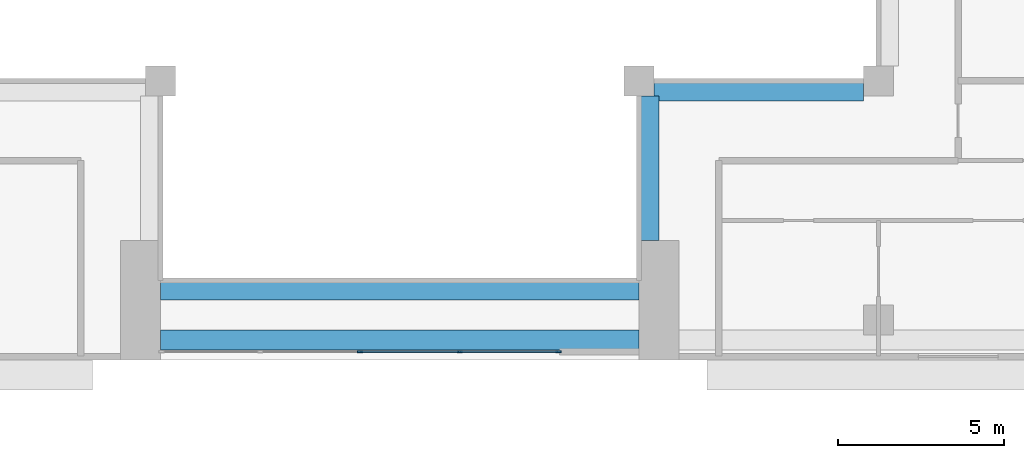
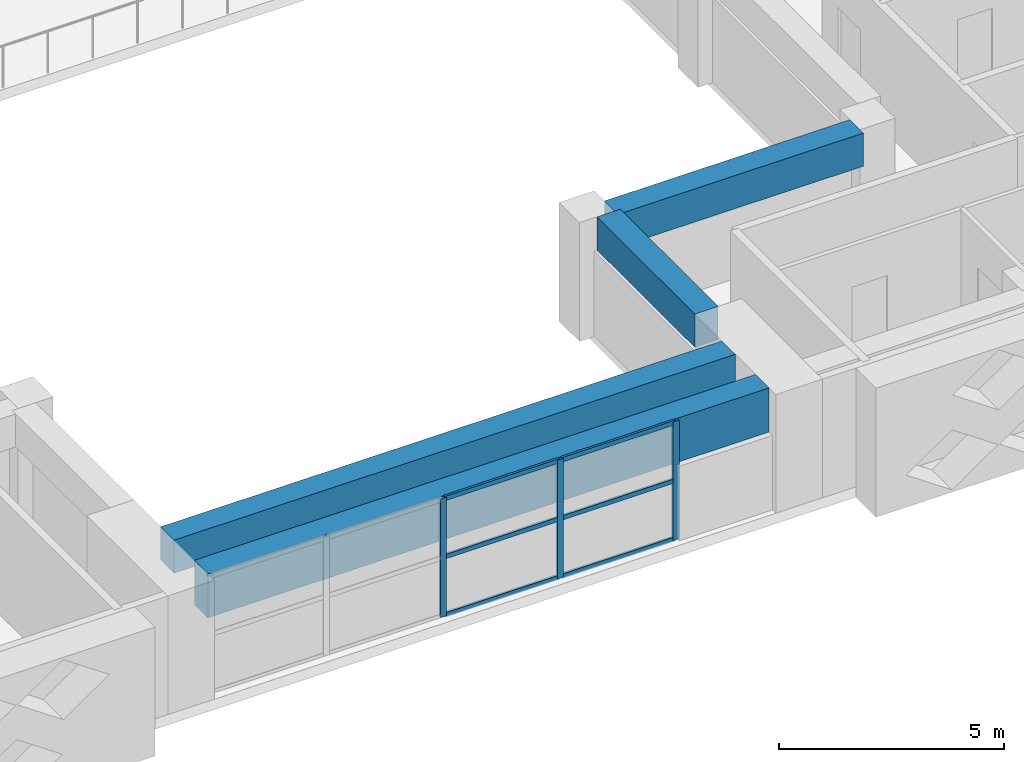
# One storey, part 4 of 19: 9 members, 4 beams, 1 element without a shape of its own.
"""IFC4 building model written with IfcOpenShell, lengths in metres."""

from ifc_helpers import new_model, si_unit, direction, frame, origin, origin_2d, place, context, subcontext, project, spatial, rectangle, extrude, source, transform, mapped, material, layer, layer_set, material_profile, profile_set, type_object, element, aggregate, save


model = new_model("IFC4")

# Units and contexts
model_context = context("Model", 3, precision=1e-05, world=origin(), true_north=direction((0.0, 1.0)))
body_context = subcontext(model_context, "Body", "Model", "MODEL_VIEW")
ifc_project = project(units=[si_unit("LENGTHUNIT", "METRE"), si_unit("AREAUNIT", "SQUARE_METRE"), si_unit("VOLUMEUNIT", "CUBIC_METRE"), si_unit("PLANEANGLEUNIT", "RADIAN"), si_unit("MASSUNIT", "GRAM", prefix="KILO")], contexts=[model_context])

# Site, building, storey
site_placement = place(None, origin())
site = spatial("IfcSite", under=ifc_project, at=site_placement, CompositionType="ELEMENT")
building_placement = place(site_placement, origin())
building = spatial("IfcBuilding", under=site, at=building_placement, Name="Saffron Iwan Residences", CompositionType="ELEMENT")
storey_placement = place(building_placement, frame((0.0, 0.0, 218.5)))
storey = spatial("IfcBuildingStorey", under=building, at=storey_placement, Name="L58", CompositionType="ELEMENT", Elevation=218.5)

# Beams
ifc_material_1 = material(Name="Concrete C40/50", Category="concrete")
ifc_material_profile_1 = material_profile(ifc_material_1, rectangle(XDim=0.60009765625, YDim=1.199951171875, at=origin_2d()), Name="RC 600x1200")
ifc_profile_set_1 = profile_set([ifc_material_profile_1], Name="Concrete C40/50")
beam_type_1 = type_object("IfcBeamType", Name="LINTEL BEAM RC 600x1200 C40/50 TOP 3220", PredefinedType="LINTEL", material=ifc_profile_set_1)
shared_shape_1 = source(origin(), body_context, "Body", "SweptSolid", [
    extrude(rectangle(XDim=0.60009765625, YDim=1.199951171875, at=origin_2d()), origin(), (0.0, 0.0, 1.0), 14.400146484375),
])
beam_1_placement = place(storey_placement, frame((57.60009765625, 40.199951171875, 2.6201171875), z_axis=(-1.0, 0.0, 0.0), x_axis=(0.0, -1.0, 0.0)))
element("IfcBeam", 1, at=beam_1_placement, inside=storey, type_object=beam_type_1, Name="Lintel beam over the iwan", PredefinedType="LINTEL", context=body_context, shape_type="MappedRepresentation", body=[
    mapped(shared_shape_1, transform((0.0, 0.0, 0.0))),
])
ifc_material_profile_2 = material_profile(ifc_material_1, rectangle(XDim=0.60009765625, YDim=0.89990234375, at=origin_2d()), Name="RC 600x900")
ifc_profile_set_2 = profile_set([ifc_material_profile_2], Name="Concrete C40/50")
beam_type_2 = type_object("IfcBeamType", Name="BEAM RC 600x900 C40/50 TOP 3220", PredefinedType="BEAM", material=ifc_profile_set_2)
shared_shape_2 = source(origin(), body_context, "Body", "SweptSolid", [
    extrude(rectangle(XDim=0.60009765625, YDim=0.89990234375, at=origin_2d()), origin(), (0.0, 0.0, 1.0), 14.400146484375),
])
beam_2_placement = place(storey_placement, frame((57.60009765625, 41.699951171875, 2.77001953125), z_axis=(-1.0, 0.0, 0.0), x_axis=(0.0, -1.0, 0.0)))
element("IfcBeam", 2, at=beam_2_placement, inside=storey, type_object=beam_type_2, Name="Atrium edge beam", PredefinedType="BEAM", context=body_context, shape_type="MappedRepresentation", body=[
    mapped(shared_shape_2, transform((0.0, 0.0, 0.0))),
])
shared_shape_3 = source(origin(), body_context, "Body", "SweptSolid", [
    extrude(rectangle(XDim=0.60009765625, YDim=0.89990234375, at=origin_2d()), origin(), (0.0, 0.0, 1.0), 4.35009765625),
])
beam_3_placement = place(storey_placement, frame((57.89990234375, 47.550048828125, 2.77001953125), z_axis=(0.0, -1.0, 0.0), x_axis=(1.0, 0.0, 0.0)))
element("IfcBeam", 3, at=beam_3_placement, inside=storey, type_object=beam_type_2, Name="Atrium edge beam", PredefinedType="BEAM", context=body_context, shape_type="MappedRepresentation", body=[
    mapped(shared_shape_3, transform((0.0, 0.0, 0.0))),
])
shared_shape_4 = source(origin(), body_context, "Body", "SweptSolid", [
    extrude(rectangle(XDim=0.60009765625, YDim=0.89990234375, at=origin_2d()), origin(), (0.0, 0.0, 1.0), 6.300048828125),
])
beam_4_placement = place(storey_placement, frame((64.35009765625, 47.699951171875, 2.77001953125), z_axis=(-1.0, 0.0, 0.0), x_axis=(0.0, -1.0, 0.0)))
element("IfcBeam", 4, at=beam_4_placement, inside=storey, type_object=beam_type_2, Name="Atrium edge beam", PredefinedType="BEAM", context=body_context, shape_type="MappedRepresentation", body=[
    mapped(shared_shape_4, transform((0.0, 0.0, 0.0))),
])

# Curtain wall, members
ifc_material_2 = material(Name="Clear glass, laminated double glazed", Category="glass")
ifc_layer = layer(ifc_material_2, 0.199951171875)
ifc_layer_set = layer_set([ifc_layer], Name="Clear glass, laminated double glazed")
curtain_wall_type = type_object("IfcCurtainWallType", Name="CW-B IWAN PORTAL", PredefinedType="NOTDEFINED", material=ifc_layer_set)
curtain_wall_placement = place(storey_placement, origin())
curtain_wall = element("IfcCurtainWall", 5, at=curtain_wall_placement, inside=storey, type_object=curtain_wall_type, Name="Iwan portal glazing L58.1", PredefinedType="NOTDEFINED")
ifc_material_3 = material(Name="Aluminium 6063-T6", Category="aluminium")
ifc_material_profile_3 = material_profile(ifc_material_3, rectangle(XDim=0.06005859375, YDim=0.1201171875, at=origin_2d()), Name="CW-B TRANSOM 60 x 120")
ifc_profile_set_3 = profile_set([ifc_material_profile_3], Name="Aluminium 6063-T6")
member_type_1 = type_object("IfcMemberType", Name="CW-B TRANSOM 60 x 120", PredefinedType="USERDEFINED", material=ifc_profile_set_3)
shared_shape_5 = source(origin(), body_context, "Body", "SweptSolid", [
    extrude(rectangle(XDim=0.06005859375, YDim=0.1201171875, at=origin_2d()), origin(), (0.0, 0.0, 1.0), 2.909912109375),
])
member_1_placement = place(storey_placement, frame((52.22998046875, 39.85009765625, 0.030029296875), z_axis=(1.0, 0.0, 0.0), x_axis=(0.0, 1.0, 0.0)))
member_1 = element("IfcMember", 6, at=member_1_placement, type_object=member_type_1, Name="CW-B transom 4.1", ObjectType="TRANSOM", PredefinedType="USERDEFINED", context=body_context, shape_type="MappedRepresentation", body=[
    mapped(shared_shape_5, transform((0.0, 0.0, 0.0))),
])
member_2_placement = place(storey_placement, frame((52.22998046875, 39.85009765625, 1.610107421875), z_axis=(1.0, 0.0, 0.0), x_axis=(0.0, 1.0, 0.0)))
member_2 = element("IfcMember", 7, at=member_2_placement, type_object=member_type_1, Name="CW-B transom 4.2", ObjectType="TRANSOM", PredefinedType="USERDEFINED", context=body_context, shape_type="MappedRepresentation", body=[
    mapped(shared_shape_5, transform((0.0, 0.0, 0.0))),
])
member_3_placement = place(storey_placement, frame((52.22998046875, 39.85009765625, 3.18994140625), z_axis=(1.0, 0.0, 0.0), x_axis=(0.0, 1.0, 0.0)))
member_3 = element("IfcMember", 8, at=member_3_placement, type_object=member_type_1, Name="CW-B transom 4.3", ObjectType="TRANSOM", PredefinedType="USERDEFINED", context=body_context, shape_type="MappedRepresentation", body=[
    mapped(shared_shape_5, transform((0.0, 0.0, 0.0))),
])
shared_shape_6 = source(origin(), body_context, "Body", "SweptSolid", [
    extrude(rectangle(XDim=0.06005859375, YDim=0.1201171875, at=origin_2d()), origin(), (0.0, 0.0, 1.0), 2.93994140625),
])
member_4_placement = place(storey_placement, frame((49.22998046875, 39.85009765625, 0.030029296875), z_axis=(1.0, 0.0, 0.0), x_axis=(0.0, 1.0, 0.0)))
member_4 = element("IfcMember", 9, at=member_4_placement, type_object=member_type_1, Name="CW-B transom 3.1", ObjectType="TRANSOM", PredefinedType="USERDEFINED", context=body_context, shape_type="MappedRepresentation", body=[
    mapped(shared_shape_6, transform((0.0, 0.0, 0.0))),
])
member_5_placement = place(storey_placement, frame((49.22998046875, 39.85009765625, 1.610107421875), z_axis=(1.0, 0.0, 0.0), x_axis=(0.0, 1.0, 0.0)))
member_5 = element("IfcMember", 10, at=member_5_placement, type_object=member_type_1, Name="CW-B transom 3.2", ObjectType="TRANSOM", PredefinedType="USERDEFINED", context=body_context, shape_type="MappedRepresentation", body=[
    mapped(shared_shape_6, transform((0.0, 0.0, 0.0))),
])
member_6_placement = place(storey_placement, frame((49.22998046875, 39.85009765625, 3.18994140625), z_axis=(1.0, 0.0, 0.0), x_axis=(0.0, 1.0, 0.0)))
member_6 = element("IfcMember", 11, at=member_6_placement, type_object=member_type_1, Name="CW-B transom 3.3", ObjectType="TRANSOM", PredefinedType="USERDEFINED", context=body_context, shape_type="MappedRepresentation", body=[
    mapped(shared_shape_6, transform((0.0, 0.0, 0.0))),
])
ifc_material_profile_4 = material_profile(ifc_material_3, rectangle(XDim=0.06005859375, YDim=0.159912109375, at=origin_2d()), Name="CW-B MULLION 60 x 160")
ifc_profile_set_4 = profile_set([ifc_material_profile_4], Name="Aluminium 6063-T6")
member_type_2 = type_object("IfcMemberType", Name="CW-B MULLION 60 x 160", PredefinedType="MULLION", material=ifc_profile_set_4)
shared_shape_7 = source(origin(), body_context, "Body", "SweptSolid", [
    extrude(rectangle(XDim=0.06005859375, YDim=0.159912109375, at=origin_2d()), origin(), (0.0, 0.0, 1.0), 3.219970703125),
])
member_7_placement = place(storey_placement, frame((49.199951171875, 39.85009765625, 0.0), z_axis=(0.0, 0.0, 1.0), x_axis=(0.0, 1.0, 0.0)))
member_7 = element("IfcMember", 12, at=member_7_placement, type_object=member_type_2, Name="CW-B mullion 3", PredefinedType="MULLION", context=body_context, shape_type="MappedRepresentation", body=[
    mapped(shared_shape_7, transform((0.0, 0.0, 0.0))),
])
member_8_placement = place(storey_placement, frame((52.199951171875, 39.85009765625, 0.0), z_axis=(0.0, 0.0, 1.0), x_axis=(0.0, 1.0, 0.0)))
member_8 = element("IfcMember", 13, at=member_8_placement, type_object=member_type_2, Name="CW-B mullion 4", PredefinedType="MULLION", context=body_context, shape_type="MappedRepresentation", body=[
    mapped(shared_shape_7, transform((0.0, 0.0, 0.0))),
])
member_9_placement = place(storey_placement, frame((55.169921875, 39.85009765625, 0.0), z_axis=(0.0, 0.0, 1.0), x_axis=(0.0, 1.0, 0.0)))
member_9 = element("IfcMember", 14, at=member_9_placement, type_object=member_type_2, Name="CW-B mullion 5", PredefinedType="MULLION", context=body_context, shape_type="MappedRepresentation", body=[
    mapped(shared_shape_7, transform((0.0, 0.0, 0.0))),
])
aggregate(curtain_wall, [member_7, member_8, member_9, member_4, member_5, member_6, member_1, member_2, member_3])

save(model, "model.ifc")
